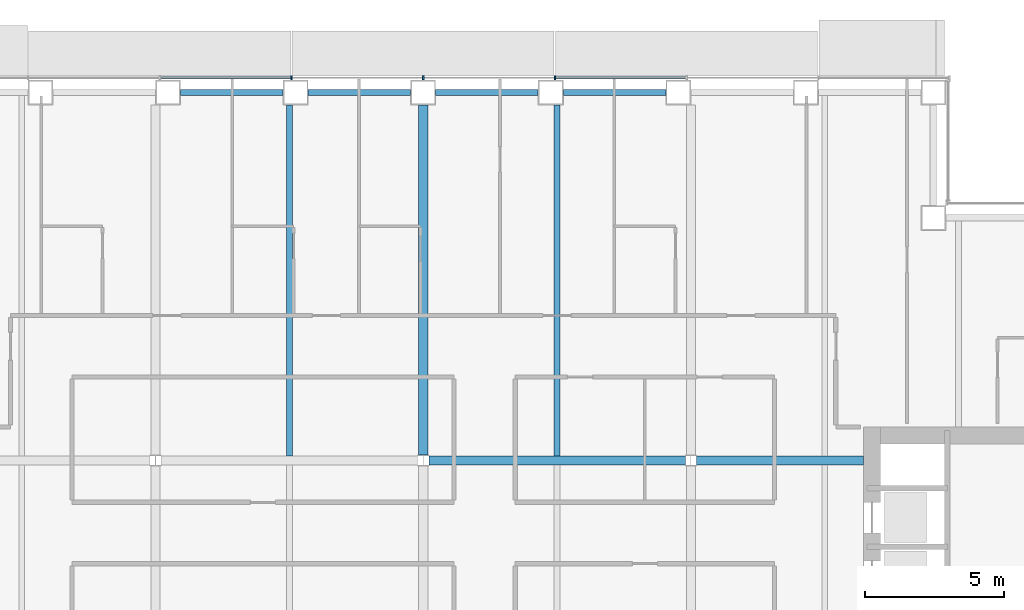
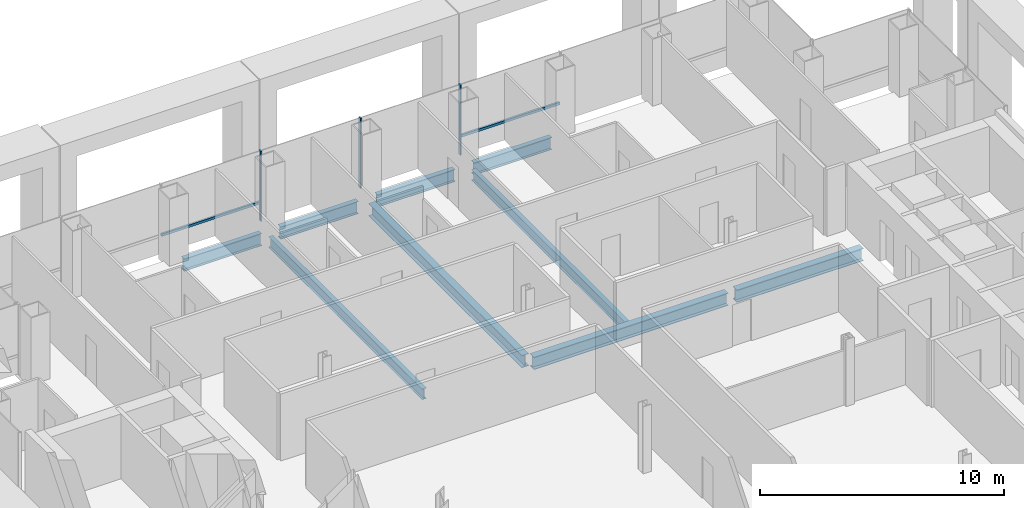
# One storey, part 7 of 20: 9 beams, 5 members, 1 element without a shape of its own.
"""IFC4 building model written with IfcOpenShell, lengths in metres."""

import ifcopenshell
import ifcopenshell.guid

model = None  # the IFC model being written
_history = None  # IfcOwnerHistory: only IFC2X3 demands one
_inside = {}  # id of a spatial element -> (the spatial element, [elements in it])
_under = {}  # id of a project, library or spatial element -> (it, [spatial elements below it])
_declared = {}  # id of a project -> (the project, [libraries it declares])
_typed = {}  # id of a type object -> (the type object, [elements of that type])
_made_of = {}  # id of a material, layer set ... -> (it, [elements and type objects made of it])


def new_model(schema):
    """Start an empty IFC model of exactly this schema.

    Asked for "IFC4X3", IfcOpenShell would pick the latest addendum, in which some entities
    have other attributes; the version numbers below select the first issue.
    IFC2X3 requires an IfcOwnerHistory on every rooted entity: one is made here for all.
    """
    global model, _history
    if schema == "IFC4X3":
        model = ifcopenshell.file(schema_version=(4, 3, 0, 0))
    else:
        model = ifcopenshell.file(schema=schema)
    _inside.clear()
    _under.clear()
    _declared.clear()
    _typed.clear()
    _made_of.clear()
    _history = None
    if model.schema == "IFC2X3":
        org = make("IfcOrganization", Name="unknown")
        user = make(
            "IfcPersonAndOrganization",
            ThePerson=make("IfcPerson", FamilyName="unknown"),
            TheOrganization=org,
        )
        app = make(
            "IfcApplication",
            ApplicationDeveloper=org,
            Version="unknown",
            ApplicationFullName="unknown",
            ApplicationIdentifier="unknown",
        )
        _history = make(
            "IfcOwnerHistory",
            OwningUser=user,
            OwningApplication=app,
            ChangeAction="ADDED",
            CreationDate=0,
        )
    return model


def make(cls, **values):
    """One entity of the class cls with the attributes given. An attribute that is None is left unset."""
    return model.create_entity(
        cls, **{name: value for name, value in values.items() if value is not None}
    )


def rooted(cls, **values):
    """An entity with a GlobalId (a new one), such as an element, a storey or a relation."""
    return make(cls, GlobalId=ifcopenshell.guid.new(), OwnerHistory=_history, **values)


def si_unit(unit_type, name, prefix=None):
    """IfcSIUnit, for example si_unit("LENGTHUNIT", "METRE", prefix="MILLI")."""
    return make("IfcSIUnit", UnitType=unit_type, Prefix=prefix, Name=name)


def assignment(units):
    """IfcUnitAssignment: the units of a project."""
    return None if units is None else make("IfcUnitAssignment", Units=units)


def point(xyz):
    """IfcCartesianPoint."""
    return None if xyz is None else make("IfcCartesianPoint", Coordinates=xyz)


def direction(xyz):
    """IfcDirection."""
    return None if xyz is None else make("IfcDirection", DirectionRatios=xyz)


def frame(location, z_axis=None, x_axis=None):
    """IfcAxis2Placement3D, a coordinate frame: its origin and axes. An axis left out is left unset."""
    return make(
        "IfcAxis2Placement3D",
        Location=point(location),
        Axis=direction(z_axis),
        RefDirection=direction(x_axis),
    )


def frame_2d(location, x_axis=None):
    """IfcAxis2Placement2D, a coordinate frame in the plane: its origin and x axis."""
    return make(
        "IfcAxis2Placement2D", Location=point(location), RefDirection=direction(x_axis)
    )


def origin():
    """The frame at (0, 0, 0) with its axes left unset."""
    return frame((0.0, 0.0, 0.0))


def origin_2d():
    """The frame at (0, 0) in the plane with its x axis left unset."""
    return frame_2d((0.0, 0.0))


def place(relative_to, where):
    """IfcLocalPlacement: puts the frame where relative to a parent placement (None: the world)."""
    return make(
        "IfcLocalPlacement", PlacementRelTo=relative_to, RelativePlacement=where
    )


def context(
    kind, dimensions, precision=None, world=None, true_north=None, identifier=None
):
    """IfcGeometricRepresentationContext, for example the 3D "Model" context."""
    return make(
        "IfcGeometricRepresentationContext",
        ContextIdentifier=identifier,
        ContextType=kind,
        CoordinateSpaceDimension=dimensions,
        Precision=precision,
        WorldCoordinateSystem=world,
        TrueNorth=true_north,
    )


def subcontext(parent, identifier, kind, view, scale=None):
    """IfcGeometricRepresentationSubContext, for example "Body" below "Model"."""
    return make(
        "IfcGeometricRepresentationSubContext",
        ContextIdentifier=identifier,
        ContextType=kind,
        ParentContext=parent,
        TargetScale=scale,
        TargetView=view,
    )


def project(units=None, contexts=None):
    """IfcProject with its units and contexts."""
    return rooted(
        "IfcProject",
        Name="project",
        RepresentationContexts=contexts,
        UnitsInContext=assignment(units),
    )


def spatial(cls, under=None, at=None, **own):
    """A site, building, storey or space (cls), placed at a placement, below another one or the project."""
    s = rooted(cls, ObjectPlacement=at, **own)
    if under is not None:
        _under.setdefault(under.id(), (under, []))[1].append(s)
    return s


def profile(cls, at=None, kind="AREA", **sizes):
    """A parametric profile (cls). Its sizes go by their IFC names, for example OverallWidth=200.0."""
    return make(cls, ProfileType=kind, Position=at, **sizes)


def rectangle(**sizes):
    """IfcRectangleProfileDef."""
    return profile("IfcRectangleProfileDef", **sizes)


def i_section(**sizes):
    """IfcIShapeProfileDef."""
    return profile("IfcIShapeProfileDef", **sizes)


def extrude(swept, where, along, depth):
    """IfcExtrudedAreaSolid: the profile swept, set in the frame where, extruded along a direction by depth."""
    return make(
        "IfcExtrudedAreaSolid",
        SweptArea=swept,
        Position=where,
        ExtrudedDirection=direction(along),
        Depth=depth,
    )


def shape(context_of_items, identifier, shape_type, items):
    """IfcShapeRepresentation: the items that make up one representation, for example the "Body"."""
    return make(
        "IfcShapeRepresentation",
        ContextOfItems=context_of_items,
        RepresentationIdentifier=identifier,
        RepresentationType=shape_type,
        Items=items,
    )


def material(Name=None, Category=None):
    """IfcMaterial."""
    return make("IfcMaterial", Name=Name, Category=Category)


def material_profile(
    of_material, cross_section, Name=None, Category=None, Priority=None
):
    """IfcMaterialProfile: a cross section and its material."""
    return make(
        "IfcMaterialProfile",
        Name=Name,
        Material=of_material,
        Profile=cross_section,
        Priority=Priority,
        Category=Category,
    )


def profile_set(profiles, Name=None, composite=None):
    """IfcMaterialProfileSet."""
    return make(
        "IfcMaterialProfileSet",
        Name=Name,
        MaterialProfiles=profiles,
        CompositeProfile=composite,
    )


def made_of(thing, what):
    """Note that an element or type object is made of a material, layer set ...; save() writes the relation."""
    if what is not None:
        _made_of.setdefault(what.id(), (what, []))[1].append(thing)
    return thing


def type_object(cls, material=None, **own):
    """A type object (cls), such as IfcWallType, which elements share."""
    return made_of(rooted(cls, **own), material)


def element(
    cls,
    number,
    at=None,
    inside=None,
    cuts=None,
    type_object=None,
    material=None,
    context=None,
    identifier="Body",
    shape_type=None,
    held_by="IfcProductDefinitionShape",
    body=None,
    shapes=None,
    **own,
):
    """One element of the class cls, such as IfcWall. Its Tag is "e" and its number.

    at: its placement. inside: the storey or other place that contains it. cuts: it is an
    opening in that element (IfcRelVoidsElement). A single representation is given by context,
    identifier, shape_type and body (its items); several are given by shapes. held_by: the class
    of the entity that holds the representations. save() writes the other relations.
    """
    e = rooted(cls, Tag="e%d" % number, ObjectPlacement=at, **own)
    if body is not None:
        shapes = [shape(context, identifier, shape_type, body)]
    if shapes is not None:
        e.Representation = make(held_by, Representations=shapes)
    if inside is not None:
        _inside.setdefault(inside.id(), (inside, []))[1].append(e)
    if cuts is not None:
        rooted(
            "IfcRelVoidsElement", RelatingBuildingElement=cuts, RelatedOpeningElement=e
        )
    if type_object is not None:
        _typed.setdefault(type_object.id(), (type_object, []))[1].append(e)
    return made_of(e, material)


def aggregate(whole, parts):
    """IfcRelAggregates: a whole, such as a stair, and the parts it consists of."""
    return rooted("IfcRelAggregates", RelatingObject=whole, RelatedObjects=parts)


def save(model, path):
    """Write the relations noted so far, then the file.

    IfcRelAggregates (storeys below a building ...), IfcRelContainedInSpatialStructure (elements
    in a storey), IfcRelDefinesByType, IfcRelAssociatesMaterial and IfcRelDeclares: one each for
    every whole, place, type object, material and project.
    """
    for whole, parts in _under.values():
        aggregate(whole, parts)
    for where, things in _inside.values():
        rooted(
            "IfcRelContainedInSpatialStructure",
            RelatedElements=things,
            RelatingStructure=where,
        )
    for kind, things in _typed.values():
        rooted("IfcRelDefinesByType", RelatedObjects=things, RelatingType=kind)
    for what, things in _made_of.values():
        rooted("IfcRelAssociatesMaterial", RelatedObjects=things, RelatingMaterial=what)
    for by, libraries in _declared.values():
        rooted("IfcRelDeclares", RelatingContext=by, RelatedDefinitions=libraries)
    model.write(path)


model = new_model("IFC4")

# Units and contexts
model_context = context("Model", 3, precision=1e-05, world=origin(), true_north=direction((0.0, 1.0)))
body_context = subcontext(model_context, "Body", "Model", "MODEL_VIEW")
ifc_project = project(units=[si_unit("LENGTHUNIT", "METRE"), si_unit("AREAUNIT", "SQUARE_METRE"), si_unit("VOLUMEUNIT", "CUBIC_METRE"), si_unit("PLANEANGLEUNIT", "RADIAN"), si_unit("MASSUNIT", "GRAM", prefix="KILO")], contexts=[model_context])

# Site, building, storey
site_placement = place(None, origin())
site = spatial("IfcSite", under=ifc_project, at=site_placement, CompositionType="ELEMENT")
building_placement = place(site_placement, origin())
building = spatial("IfcBuilding", under=site, at=building_placement, Name="Cobrizo Arcos Hotel Tower", CompositionType="ELEMENT")
storey_placement = place(building_placement, frame((0.0, 0.0, 96.0)))
storey = spatial("IfcBuildingStorey", under=building, at=storey_placement, Name="L23", CompositionType="ELEMENT", Elevation=96.0)

# Curtain wall, members
ifc_material_1 = material(Name="Aluminium 6063-T6 anodised bronze", Category="aluminium")
curtain_wall_type = type_object("IfcCurtainWallType", Name="CW-A guest facade", PredefinedType="NOTDEFINED", material=ifc_material_1)
curtain_wall_placement = place(storey_placement, origin())
curtain_wall = element("IfcCurtainWall", 1, at=curtain_wall_placement, inside=storey, type_object=curtain_wall_type, Name="CW-A L23 N face", PredefinedType="NOTDEFINED")
ifc_material_profile_1 = material_profile(ifc_material_1, rectangle(XDim=0.14990234375, YDim=0.06005859375, at=origin_2d()), Name="CW-A mullion 150x60")
ifc_profile_set_1 = profile_set([ifc_material_profile_1], Name="Aluminium 6063-T6 anodised bronze")
member_type_1 = type_object("IfcMemberType", Name="CW-A mullion 150x60", PredefinedType="MULLION", material=ifc_profile_set_1)
member_1_placement = place(storey_placement, frame((4.72509765625, 23.324951171875, 0.0), z_axis=(0.0, 0.0, 1.0), x_axis=(0.0, 1.0, 0.0)))
member_1 = element("IfcMember", 2, at=member_1_placement, type_object=member_type_1, Name="CW-A mullion 4", PredefinedType="MULLION", context=body_context, shape_type="SweptSolid", body=[
    extrude(rectangle(XDim=0.14990234375, YDim=0.06005859375, at=origin_2d()), origin(), (0.0, 0.0, 1.0), 3.5),
])
member_2_placement = place(storey_placement, frame((0.0, 23.324951171875, 0.0), z_axis=(0.0, 0.0, 1.0), x_axis=(0.0, 1.0, 0.0)))
member_2 = element("IfcMember", 3, at=member_2_placement, type_object=member_type_1, Name="CW-A mullion 5", PredefinedType="MULLION", context=body_context, shape_type="SweptSolid", body=[
    extrude(rectangle(XDim=0.14990234375, YDim=0.06005859375, at=origin_2d()), origin(), (0.0, 0.0, 1.0), 3.5),
])
member_3_placement = place(storey_placement, frame((-4.72509765625, 23.324951171875, 0.0), z_axis=(0.0, 0.0, 1.0), x_axis=(0.0, 1.0, 0.0)))
member_3 = element("IfcMember", 4, at=member_3_placement, type_object=member_type_1, Name="CW-A mullion 6", PredefinedType="MULLION", context=body_context, shape_type="SweptSolid", body=[
    extrude(rectangle(XDim=0.14990234375, YDim=0.06005859375, at=origin_2d()), origin(), (0.0, 0.0, 1.0), 3.5),
])
ifc_material_profile_2 = material_profile(ifc_material_1, rectangle(XDim=0.10009765625, YDim=0.1201171875, at=origin_2d()), Name="CW-A transom 120x100")
ifc_profile_set_2 = profile_set([ifc_material_profile_2], Name="Aluminium 6063-T6 anodised bronze")
member_type_2 = type_object("IfcMemberType", Name="CW-A transom 120x100", PredefinedType="USERDEFINED", material=ifc_profile_set_2)
member_4_placement = place(storey_placement, frame((9.419921875, 23.324951171875, 0.929931640625), z_axis=(-1.0, 0.0, 0.0), x_axis=(0.0, -1.0, 0.0)))
member_4 = element("IfcMember", 5, at=member_4_placement, type_object=member_type_2, Name="CW-A transom 933", ObjectType="TRANSOM", PredefinedType="USERDEFINED", context=body_context, shape_type="SweptSolid", body=[
    extrude(rectangle(XDim=0.10009765625, YDim=0.1201171875, at=origin_2d()), origin(), (0.0, 0.0, 1.0), 4.6650390625),
])
member_5_placement = place(storey_placement, frame((-4.7548828125, 23.324951171875, 0.929931640625), z_axis=(-1.0, 0.0, 0.0), x_axis=(0.0, -1.0, 0.0)))
member_5 = element("IfcMember", 6, at=member_5_placement, type_object=member_type_2, Name="CW-A transom 936", ObjectType="TRANSOM", PredefinedType="USERDEFINED", context=body_context, shape_type="SweptSolid", body=[
    extrude(rectangle(XDim=0.10009765625, YDim=0.1201171875, at=origin_2d()), origin(), (0.0, 0.0, 1.0), 4.6650390625),
])
aggregate(curtain_wall, [member_1, member_2, member_3, member_4, member_5])

# Beams
ifc_material_2 = material(Name="Steel ASTM A992 Grade 50", Category="steel")
ifc_material_profile_3 = material_profile(ifc_material_2, i_section(OverallWidth=0.209228515625, OverallDepth=0.533447265625, WebThickness=0.01025390625, FlangeThickness=0.015625, at=origin_2d()), Name="W21X62")
ifc_profile_set_3 = profile_set([ifc_material_profile_3], Name="Steel ASTM A992 Grade 50")
beam_type_1 = type_object("IfcBeamType", Name="W21X62 joist", PredefinedType="JOIST", material=ifc_profile_set_3)
for number, where, z_axis, x_axis, name in (
    (7, (-4.800048828125, 9.763916015625, -0.416748046875), (0.0, 1.0, 0.0), (-1.0, 0.0, 0.0), "Floor joist J1, L23, no. 010"),
    (8, (4.800048828125, 9.763916015625, -0.416748046875), (0.0, 1.0, 0.0), (-1.0, 0.0, 0.0), "Floor joist J1, L23, no. 014"),
):
    element("IfcBeam", number, at=place(storey_placement, frame(where, z_axis=z_axis, x_axis=x_axis)), inside=storey, type_object=beam_type_1, Name=name, PredefinedType="JOIST", context=body_context, shape_type="SweptSolid", body=[
        extrude(i_section(OverallWidth=0.209228515625, OverallDepth=0.533447265625, WebThickness=0.01025390625, FlangeThickness=0.015625, at=origin_2d()), origin(), (0.0, 0.0, 1.0), 12.586181640625),
    ])
ifc_material_profile_4 = material_profile(ifc_material_2, i_section(OverallWidth=0.32763671875, OverallDepth=0.622314453125, WebThickness=0.015380859375, FlangeThickness=0.0244140625, at=origin_2d()), Name="W24X131")
ifc_profile_set_4 = profile_set([ifc_material_profile_4], Name="Steel ASTM A992 Grade 50")
beam_type_2 = type_object("IfcBeamType", Name="W24X131 girder", PredefinedType="BEAM", material=ifc_profile_set_4)
beam_1_placement = place(storey_placement, frame((0.199462890625, 9.60009765625, -0.461181640625), z_axis=(1.0, 0.0, 0.0), x_axis=(0.0, 1.0, 0.0)))
element("IfcBeam", 9, at=beam_1_placement, inside=storey, type_object=beam_type_2, Name="Floor girder G1, L23, no. 011", PredefinedType="BEAM", context=body_context, shape_type="SweptSolid", body=[
    extrude(i_section(OverallWidth=0.32763671875, OverallDepth=0.622314453125, WebThickness=0.015380859375, FlangeThickness=0.0244140625, at=origin_2d()), origin(), (0.0, 0.0, 1.0), 9.201171875),
])
beam_2_placement = place(storey_placement, frame((9.79931640625, 9.60009765625, -0.461181640625), z_axis=(1.0, 0.0, 0.0), x_axis=(0.0, 1.0, 0.0)))
element("IfcBeam", 10, at=beam_2_placement, inside=storey, type_object=beam_type_2, Name="Floor girder G1, L23, no. 012", PredefinedType="BEAM", context=body_context, shape_type="SweptSolid", body=[
    extrude(i_section(OverallWidth=0.32763671875, OverallDepth=0.622314453125, WebThickness=0.015380859375, FlangeThickness=0.0244140625, at=origin_2d()), origin(), (0.0, 0.0, 1.0), 5.99072265625),
])
beam_3_placement = place(storey_placement, frame((0.0, 9.79931640625, -0.461181640625), z_axis=(0.0, 1.0, 0.0), x_axis=(-1.0, 0.0, 0.0)))
element("IfcBeam", 11, at=beam_3_placement, inside=storey, type_object=beam_type_2, Name="Floor girder G1, L23, no. 020", PredefinedType="BEAM", context=body_context, shape_type="SweptSolid", body=[
    extrude(i_section(OverallWidth=0.32763671875, OverallDepth=0.622314453125, WebThickness=0.015380859375, FlangeThickness=0.0244140625, at=origin_2d()), origin(), (0.0, 0.0, 1.0), 12.55078125),
])
ifc_material_profile_5 = material_profile(ifc_material_2, i_section(OverallWidth=0.23046875, OverallDepth=0.6171875, WebThickness=0.01318359375, FlangeThickness=0.022216796875, at=origin_2d()), Name="W24X94")
ifc_profile_set_5 = profile_set([ifc_material_profile_5], Name="Steel ASTM A992 Grade 50")
beam_type_3 = type_object("IfcBeamType", Name="W24X94 spandrel", PredefinedType="SPANDREL", material=ifc_profile_set_5)
for number, where, z_axis, x_axis, name in (
    (12, (8.699951171875, 22.800048828125, -0.45849609375), (-1.0, 0.0, 0.0), (0.0, -1.0, 0.0), "Spandrel beam W24X94, L23, no. 019"),
    (13, (4.125, 22.800048828125, -0.45849609375), (-1.0, 0.0, 0.0), (0.0, -1.0, 0.0), "Spandrel beam W24X94, L23, no. 020"),
    (14, (-0.449951171875, 22.800048828125, -0.45849609375), (-1.0, 0.0, 0.0), (0.0, -1.0, 0.0), "Spandrel beam W24X94, L23, no. 021"),
    (15, (-5.02490234375, 22.800048828125, -0.45849609375), (-1.0, 0.0, 0.0), (0.0, -1.0, 0.0), "Spandrel beam W24X94, L23, no. 022"),
):
    element("IfcBeam", number, at=place(storey_placement, frame(where, z_axis=z_axis, x_axis=x_axis)), inside=storey, type_object=beam_type_3, Name=name, PredefinedType="SPANDREL", context=body_context, shape_type="SweptSolid", body=[
        extrude(i_section(OverallWidth=0.23046875, OverallDepth=0.6171875, WebThickness=0.01318359375, FlangeThickness=0.022216796875, at=origin_2d()), origin(), (0.0, 0.0, 1.0), 3.675048828125),
    ])

save(model, "model.ifc")
